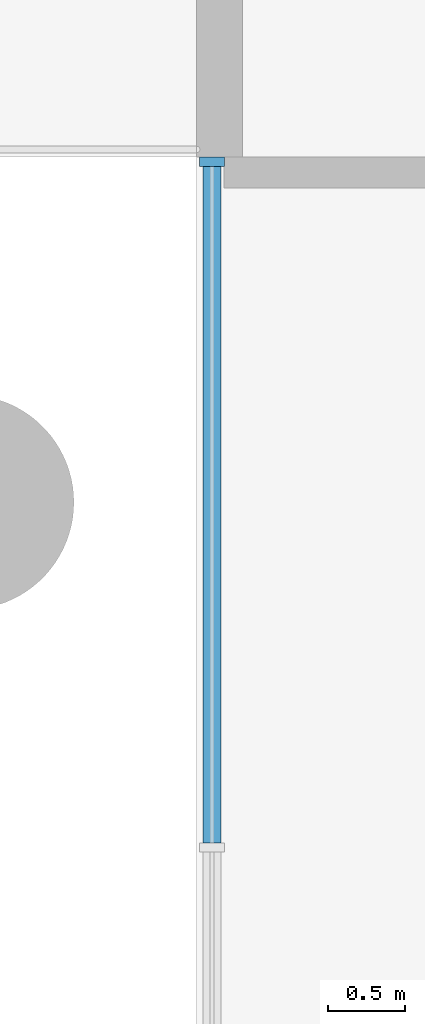
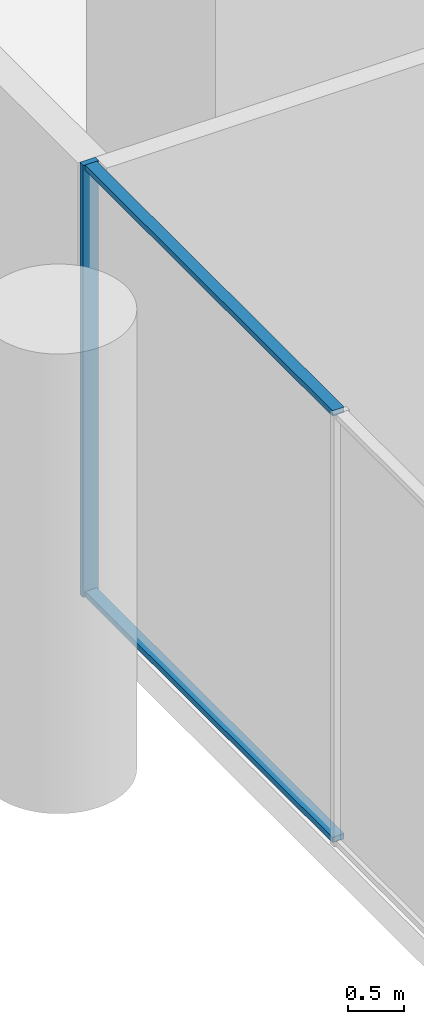
# One storey, part 6 of 21: 3 members, 1 element without a shape of its own.
"""IFC4 building model written with IfcOpenShell, lengths in metres."""

from ifc_helpers import new_model, si_unit, direction, frame, origin, origin_2d, place, context, subcontext, project, spatial, rectangle, extrude, material, layer, layer_set, material_profile, profile_set, type_object, element, aggregate, save


model = new_model("IFC4")

# Units and contexts
model_context = context("Model", 3, precision=1e-05, world=origin(), true_north=direction((0.0, 1.0)))
body_context = subcontext(model_context, "Body", "Model", "MODEL_VIEW")
ifc_project = project(units=[si_unit("LENGTHUNIT", "METRE"), si_unit("AREAUNIT", "SQUARE_METRE"), si_unit("VOLUMEUNIT", "CUBIC_METRE"), si_unit("PLANEANGLEUNIT", "RADIAN"), si_unit("MASSUNIT", "GRAM", prefix="KILO")], contexts=[model_context])

# Site, building, storey
site_placement = place(None, origin())
site = spatial("IfcSite", under=ifc_project, at=site_placement, CompositionType="ELEMENT")
building_placement = place(site_placement, origin())
building = spatial("IfcBuilding", under=site, at=building_placement, Name="Namib Vertical Campus", CompositionType="ELEMENT")
storey_placement = place(building_placement, frame((0.0, 0.0, 6.0)))
storey = spatial("IfcBuildingStorey", under=building, at=storey_placement, Name="L01", CompositionType="ELEMENT", Elevation=6.0)

# Curtain wall, members
ifc_material_1 = material(Name="Black aluminium curtain wall", Category="aluminium")
ifc_layer = layer(ifc_material_1, 0.199951171875)
ifc_layer_set = layer_set([ifc_layer], Name="Atrium screen curtain wall CW-AT")
curtain_wall_type = type_object("IfcCurtainWallType", Name="Atrium screen curtain wall CW-AT", PredefinedType="USERDEFINED", material=ifc_layer_set)
curtain_wall_placement = place(storey_placement, origin())
curtain_wall = element("IfcCurtainWall", 1, at=curtain_wall_placement, inside=storey, type_object=curtain_wall_type, Name="Curtain wall CW-AT atrium B L01 1", ObjectType="CURTAIN WALL", PredefinedType="USERDEFINED")
ifc_material_2 = material(Name="Black anodised aluminium", Category="aluminium")
ifc_material_profile_1 = material_profile(ifc_material_2, rectangle(XDim=0.06005859375, YDim=0.159912109375, at=origin_2d()))
ifc_profile_set_1 = profile_set([ifc_material_profile_1], Name="Black anodised aluminium")
member_type_1 = type_object("IfcMemberType", Name="Curtain wall mullion 60x160", PredefinedType="MULLION", material=ifc_profile_set_1)
member_1_placement = place(storey_placement, frame((63.10009765625, 31.469970703125, 0.0), z_axis=(0.0, 0.0, 1.0), x_axis=(0.0, 1.0, 0.0)))
member_1 = element("IfcMember", 2, at=member_1_placement, type_object=member_type_1, Name="CW-AT mullion 6", PredefinedType="MULLION", context=body_context, shape_type="SweptSolid", body=[
    extrude(rectangle(XDim=0.06005859375, YDim=0.159912109375, at=origin_2d()), origin(), (0.0, 0.0, 1.0), 4.699951171875),
])
ifc_material_3 = material(Name="Black anodised aluminium", Category="aluminium")
ifc_material_profile_2 = material_profile(ifc_material_3, rectangle(XDim=0.06005859375, YDim=0.1201171875, at=origin_2d()))
ifc_profile_set_2 = profile_set([ifc_material_profile_2], Name="Black anodised aluminium")
member_type_2 = type_object("IfcMemberType", Name="Curtain wall transom 60x120", PredefinedType="USERDEFINED", material=ifc_profile_set_2)
member_2_placement = place(storey_placement, frame((63.10009765625, 27.030029296875, 0.030029296875), z_axis=(0.0, 1.0, 0.0), x_axis=(0.0, 0.0, 1.0)))
member_2 = element("IfcMember", 3, at=member_2_placement, type_object=member_type_2, Name="CW-AT transom 5.1", ObjectType="TRANSOM", PredefinedType="USERDEFINED", context=body_context, shape_type="SweptSolid", body=[
    extrude(rectangle(XDim=0.06005859375, YDim=0.1201171875, at=origin_2d()), origin(), (0.0, 0.0, 1.0), 4.409912109375),
])
member_3_placement = place(storey_placement, frame((63.10009765625, 27.030029296875, 4.669921875), z_axis=(0.0, 1.0, 0.0), x_axis=(0.0, 0.0, 1.0)))
member_3 = element("IfcMember", 4, at=member_3_placement, type_object=member_type_2, Name="CW-AT transom 5.2", ObjectType="TRANSOM", PredefinedType="USERDEFINED", context=body_context, shape_type="SweptSolid", body=[
    extrude(rectangle(XDim=0.06005859375, YDim=0.1201171875, at=origin_2d()), origin(), (0.0, 0.0, 1.0), 4.409912109375),
])
aggregate(curtain_wall, [member_1, member_2, member_3])

save(model, "model.ifc")
